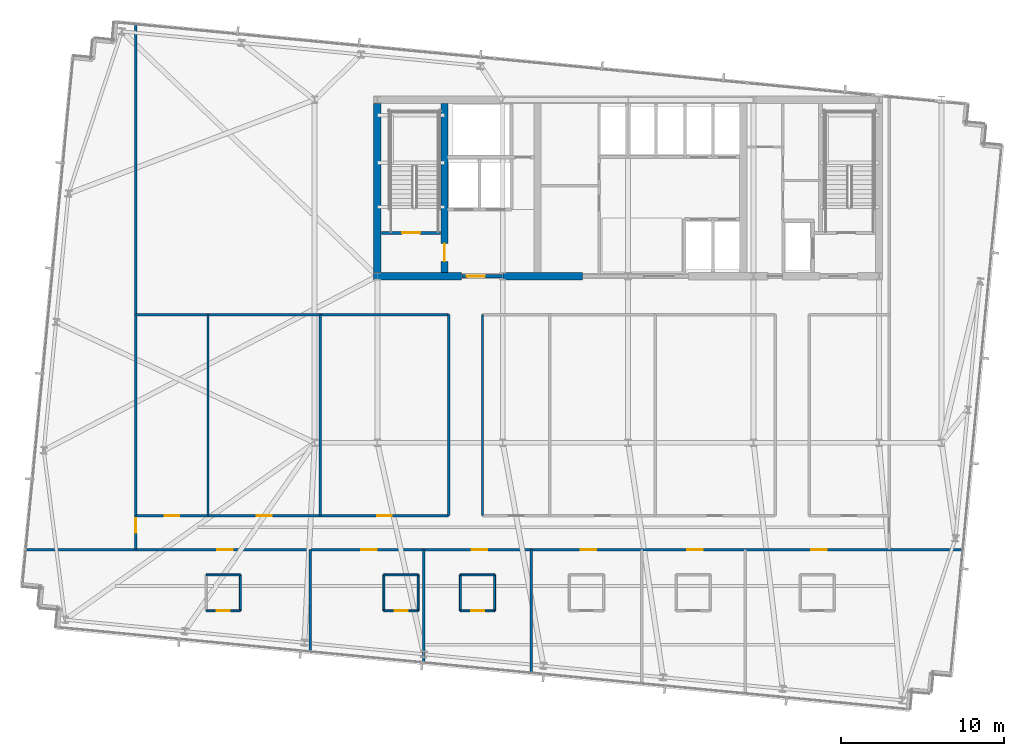
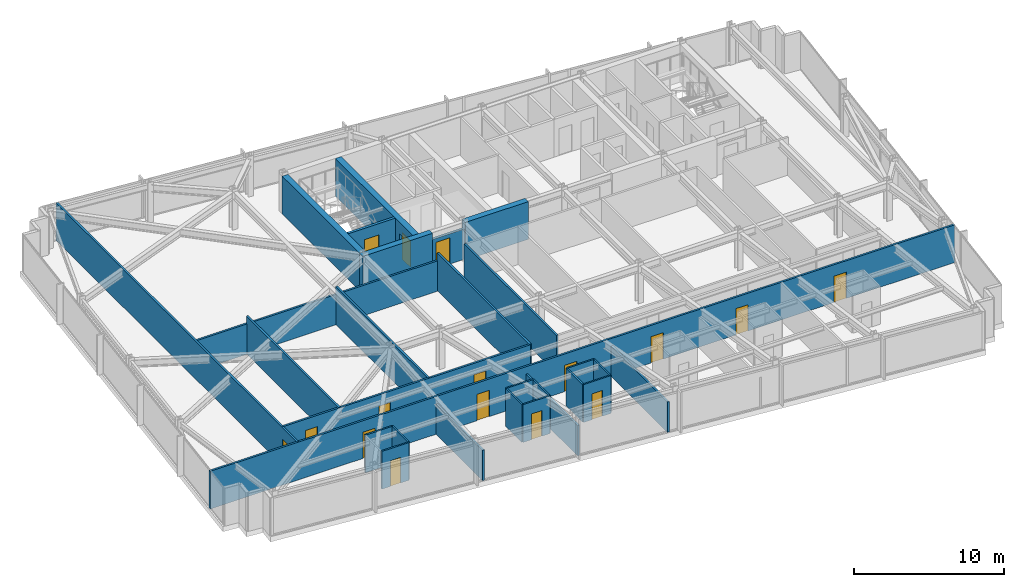
# One storey, part 29 of 37: 28 walls, 16 doors, 16 openings.
"""IFC4 building model written with IfcOpenShell, lengths in metres."""

from ifc_helpers import new_model, si_unit, direction, frame, frame_2d, origin, place, context, subcontext, project, spatial, rectangle, extrude, material, layer, layer_set, type_object, element, fill, save


model = new_model("IFC4")

# Units and contexts
model_context = context("Model", 3, precision=1e-05, world=origin(), true_north=direction((0.0, 1.0)))
body_context = subcontext(model_context, "Body", "Model", "MODEL_VIEW")
ifc_project = project(units=[si_unit("LENGTHUNIT", "METRE"), si_unit("AREAUNIT", "SQUARE_METRE"), si_unit("VOLUMEUNIT", "CUBIC_METRE"), si_unit("PLANEANGLEUNIT", "RADIAN"), si_unit("MASSUNIT", "GRAM", prefix="KILO")], contexts=[model_context])

# Site, building, storey
site_placement = place(None, origin())
site = spatial("IfcSite", under=ifc_project, at=site_placement, CompositionType="ELEMENT")
building_placement = place(site_placement, origin())
building = spatial("IfcBuilding", under=site, at=building_placement, Name="Yelkora Congress Tower", CompositionType="ELEMENT")
storey_placement = place(building_placement, frame((0.0, 0.0, 149.0)))
storey = spatial("IfcBuildingStorey", under=building, at=storey_placement, Name="L40", CompositionType="ELEMENT", Elevation=149.0)

# Walls
ifc_material_1 = material(Name="Concrete C60/75", Category="concrete")
ifc_layer_1 = layer(ifc_material_1, 0.449951171875)
ifc_layer_set_1 = layer_set([ifc_layer_1], Name="Concrete C60/75")
wall_type_1 = type_object("IfcWallType", Name="WALL-CORE-INT-450", PredefinedType="SHEAR", material=ifc_layer_set_1)
wall_1_placement = place(storey_placement, frame((22.81494140625, 35.39990234375, 0.0), z_axis=(0.0, 0.0, 1.0), x_axis=(1.0, 0.0, 0.0)))
element("IfcWall", 1, at=wall_1_placement, inside=storey, type_object=wall_type_1, Name="L40 Rear Core South-West Shear Wall", PredefinedType="SHEAR", context=body_context, shape_type="SweptSolid", body=[
    extrude(rectangle(XDim=5.385009765625, YDim=0.449951171875, at=frame_2d((2.6923828125, 0.0))), origin(), (0.0, 0.0, 1.0), 3.080078125),
])
wall_2_placement = place(storey_placement, frame((30.719970703125, 35.39990234375, 0.0), z_axis=(0.0, 0.0, 1.0), x_axis=(1.0, 0.0, 0.0)))
element("IfcWall", 2, at=wall_2_placement, inside=storey, type_object=wall_type_1, Name="L40 Rear Core South-Center Shear Pier", PredefinedType="SHEAR", context=body_context, shape_type="SweptSolid", body=[
    extrude(rectangle(XDim=4.880126953125, YDim=0.449951171875, at=frame_2d((2.43994140625, 0.0))), origin(), (0.0, 0.0, 1.0), 3.080078125),
])
wall_3_placement = place(storey_placement, frame((23.0400390625, 35.625, 0.0), z_axis=(0.0, 0.0, 1.0), x_axis=(0.0, 1.0, 0.0)))
element("IfcWall", 3, at=wall_3_placement, inside=storey, type_object=wall_type_1, Name="L40 Rear Core Cross Shear Wall W", PredefinedType="SHEAR", context=body_context, shape_type="SweptSolid", body=[
    extrude(rectangle(XDim=10.35009765625, YDim=0.449951171875, at=frame_2d((5.175048828125, 0.0))), origin(), (0.0, 0.0, 1.0), 3.080078125),
])

# Wall, opening, door
wall_4_placement = place(storey_placement, frame((27.14990234375, 35.625, 0.0), z_axis=(0.0, 0.0, 1.0), x_axis=(0.0, 1.0, 0.0)))
wall_4 = element("IfcWall", 4, at=wall_4_placement, inside=storey, type_object=wall_type_1, Name="L40 Rear Core Cross Shear Wall C1", PredefinedType="SHEAR", context=body_context, shape_type="SweptSolid", body=[
    extrude(rectangle(XDim=10.35009765625, YDim=0.449951171875, at=frame_2d((5.175048828125, 0.0))), origin(), (0.0, 0.0, 1.0), 3.080078125),
])
opening_1_placement = place(wall_4_placement, frame((0.675048828125, 0.0, 0.0)))
opening_1 = element("IfcOpeningElement", 5, at=opening_1_placement, cuts=wall_4, Name="Opening DR-110F9", PredefinedType="OPENING", context=body_context, shape_type="SweptSolid", body=[
    extrude(rectangle(XDim=1.10009765625, YDim=2.14990234375, at=frame_2d((0.550048828125, 1.074951171875))), frame((0.0, 0.23486328125, 0.0), z_axis=(0.0, -1.0, 0.0), x_axis=(1.0, 0.0, 0.0)), (0.0, 0.0, 1.0), 0.469970703125),
])
ifc_material_2 = material(Name="Galvanised steel fire door leaf", Category="steel")
door_type_1 = type_object("IfcDoorType", Name="DOOR-FD90-1100", OperationType="NOTDEFINED", PredefinedType="DOOR", material=ifc_material_2)
door_1_placement = place(opening_1_placement, origin())
door_1 = element("IfcDoor", 6, at=door_1_placement, inside=storey, type_object=door_type_1, Name="L40 Firefighting Stair Transfer Door", OperationType="SINGLE_SWING_LEFT", OverallHeight=2.14990234375, OverallWidth=1.10009765625, PredefinedType="DOOR", context=body_context, shape_type="SweptSolid", body=[
    extrude(rectangle(XDim=1.10009765625, YDim=2.14990234375, at=frame_2d((0.550048828125, 1.074951171875))), frame((0.0, 0.02490234375, 0.0), z_axis=(0.0, -1.0, 0.0), x_axis=(1.0, 0.0, 0.0)), (0.0, 0.0, 1.0), 0.050048828125),
])
fill(opening_1, door_1)

# Walls
ifc_material_3 = material(Name="Moisture-resistant gypsum partition", Category="gypsum")
ifc_layer_2 = layer(ifc_material_3, 0.1201171875)
ifc_layer_set_2 = layer_set([ifc_layer_2], Name="Moisture-resistant gypsum partition")
wall_type_2 = type_object("IfcWallType", Name="WALL-INT-120-NR", PredefinedType="PARTITIONING", material=ifc_layer_set_2)
wall_5_placement = place(storey_placement, frame((12.5458984375, 17.10009765625, 0.0), z_axis=(0.0, 0.0, 1.0), x_axis=(1.0, 0.0, 0.0)))
element("IfcWall", 7, at=wall_5_placement, inside=storey, type_object=wall_type_2, Name="L40 Partition Wall 27", PredefinedType="PARTITIONING", context=body_context, shape_type="SweptSolid", body=[
    extrude(rectangle(XDim=2.10009765625, YDim=0.1201171875, at=frame_2d((1.050048828125, 0.0))), origin(), (0.0, 0.0, 1.0), 3.080078125),
])
wall_6_placement = place(storey_placement, frame((14.64599609375, 14.89990234375, 0.0), z_axis=(0.0, 0.0, 1.0), x_axis=(0.0, 1.0, 0.0)))
element("IfcWall", 8, at=wall_6_placement, inside=storey, type_object=wall_type_2, Name="L40 Partition Wall 29", PredefinedType="PARTITIONING", context=body_context, shape_type="SweptSolid", body=[
    extrude(rectangle(XDim=2.2001953125, YDim=0.1201171875, at=frame_2d((1.10009765625, 0.0))), origin(), (0.0, 0.0, 1.0), 3.080078125),
])

# Wall, opening, door
wall_7_placement = place(storey_placement, frame((12.5458984375, 14.89990234375, 0.0), z_axis=(0.0, 0.0, 1.0), x_axis=(1.0, 0.0, 0.0)))
wall_7 = element("IfcWall", 9, at=wall_7_placement, inside=storey, type_object=wall_type_2, Name="L40 Partition Wall 30", PredefinedType="PARTITIONING", context=body_context, shape_type="SweptSolid", body=[
    extrude(rectangle(XDim=2.10009765625, YDim=0.1201171875, at=frame_2d((1.050048828125, 0.0))), origin(), (0.0, 0.0, 1.0), 3.080078125),
])
opening_2_placement = place(wall_7_placement, frame((0.64990234375, 0.0, 0.0)))
opening_2 = element("IfcOpeningElement", 10, at=opening_2_placement, cuts=wall_7, Name="Opening DR-080B", PredefinedType="OPENING", context=body_context, shape_type="SweptSolid", body=[
    extrude(rectangle(XDim=0.800048828125, YDim=2.10009765625, at=frame_2d((0.39990234375, 1.050048828125))), frame((0.0, 0.070068359375, 0.0), z_axis=(0.0, -1.0, 0.0), x_axis=(1.0, 0.0, 0.0)), (0.0, 0.0, 1.0), 0.14013671875),
])
ifc_material_4 = material(Name="Moisture-sealed en-suite timber door", Category="wood")
door_type_2 = type_object("IfcDoorType", Name="DOOR-BATH-800", OperationType="NOTDEFINED", PredefinedType="DOOR", material=ifc_material_4)
door_2_placement = place(opening_2_placement, origin())
door_2 = element("IfcDoor", 11, at=door_2_placement, inside=storey, type_object=door_type_2, Name="L40 En-suite Door 1", OperationType="SINGLE_SWING_LEFT", OverallHeight=2.10009765625, OverallWidth=0.800048828125, PredefinedType="DOOR", context=body_context, shape_type="SweptSolid", body=[
    extrude(rectangle(XDim=0.800048828125, YDim=2.10009765625, at=frame_2d((0.39990234375, 1.050048828125))), frame((0.0, 0.02490234375, 0.0), z_axis=(0.0, -1.0, 0.0), x_axis=(1.0, 0.0, 0.0)), (0.0, 0.0, 1.0), 0.050048828125),
])
fill(opening_2, door_2)

# Walls
wall_8_placement = place(storey_placement, frame((23.43896484375, 17.10009765625, 0.0), z_axis=(0.0, 0.0, 1.0), x_axis=(1.0, 0.0, 0.0)))
element("IfcWall", 12, at=wall_8_placement, inside=storey, type_object=wall_type_2, Name="L40 Partition Wall 31", PredefinedType="PARTITIONING", context=body_context, shape_type="SweptSolid", body=[
    extrude(rectangle(XDim=2.10009765625, YDim=0.1201171875, at=frame_2d((1.050048828125, 0.0))), origin(), (0.0, 0.0, 1.0), 3.080078125),
])
for number, where, z_axis, x_axis, name in (
    (13, (23.43896484375, 14.89990234375, 0.0), (0.0, 0.0, 1.0), (0.0, 1.0, 0.0), "L40 Partition Wall 32"),
    (14, (25.5390625, 14.89990234375, 0.0), (0.0, 0.0, 1.0), (0.0, 1.0, 0.0), "L40 Partition Wall 33"),
):
    element("IfcWall", number, at=place(storey_placement, frame(where, z_axis=z_axis, x_axis=x_axis)), inside=storey, type_object=wall_type_2, Name=name, PredefinedType="PARTITIONING", context=body_context, shape_type="SweptSolid", body=[
        extrude(rectangle(XDim=2.2001953125, YDim=0.1201171875, at=frame_2d((1.10009765625, 0.0))), origin(), (0.0, 0.0, 1.0), 3.080078125),
    ])

# Wall, opening, door
wall_9_placement = place(storey_placement, frame((23.43896484375, 14.89990234375, 0.0), z_axis=(0.0, 0.0, 1.0), x_axis=(1.0, 0.0, 0.0)))
wall_9 = element("IfcWall", 15, at=wall_9_placement, inside=storey, type_object=wall_type_2, Name="L40 Partition Wall 34", PredefinedType="PARTITIONING", context=body_context, shape_type="SweptSolid", body=[
    extrude(rectangle(XDim=2.10009765625, YDim=0.1201171875, at=frame_2d((1.050048828125, 0.0))), origin(), (0.0, 0.0, 1.0), 3.080078125),
])
opening_3_placement = place(wall_9_placement, frame((0.64990234375, 0.0, 0.0)))
opening_3 = element("IfcOpeningElement", 16, at=opening_3_placement, cuts=wall_9, Name="Opening DR-080B", PredefinedType="OPENING", context=body_context, shape_type="SweptSolid", body=[
    extrude(rectangle(XDim=0.800048828125, YDim=2.10009765625, at=frame_2d((0.39990234375, 1.050048828125))), frame((0.0, 0.070068359375, 0.0), z_axis=(0.0, -1.0, 0.0), x_axis=(1.0, 0.0, 0.0)), (0.0, 0.0, 1.0), 0.14013671875),
])
door_3_placement = place(opening_3_placement, origin())
door_3 = element("IfcDoor", 17, at=door_3_placement, inside=storey, type_object=door_type_2, Name="L40 En-suite Door 2", OperationType="SINGLE_SWING_RIGHT", OverallHeight=2.10009765625, OverallWidth=0.800048828125, PredefinedType="DOOR", context=body_context, shape_type="SweptSolid", body=[
    extrude(rectangle(XDim=0.800048828125, YDim=2.10009765625, at=frame_2d((0.39990234375, 1.050048828125))), frame((0.0, 0.02490234375, 0.0), z_axis=(0.0, -1.0, 0.0), x_axis=(1.0, 0.0, 0.0)), (0.0, 0.0, 1.0), 0.050048828125),
])
fill(opening_3, door_3)

# Walls
wall_10_placement = place(storey_placement, frame((28.125, 17.10009765625, 0.0), z_axis=(0.0, 0.0, 1.0), x_axis=(1.0, 0.0, 0.0)))
element("IfcWall", 18, at=wall_10_placement, inside=storey, type_object=wall_type_2, Name="L40 Partition Wall 36", PredefinedType="PARTITIONING", context=body_context, shape_type="SweptSolid", body=[
    extrude(rectangle(XDim=2.10009765625, YDim=0.1201171875, at=frame_2d((1.050048828125, 0.0))), origin(), (0.0, 0.0, 1.0), 3.080078125),
])
for number, where, z_axis, x_axis, name in (
    (19, (28.125, 14.89990234375, 0.0), (0.0, 0.0, 1.0), (0.0, 1.0, 0.0), "L40 Partition Wall 37"),
    (20, (30.22509765625, 14.89990234375, 0.0), (0.0, 0.0, 1.0), (0.0, 1.0, 0.0), "L40 Partition Wall 38"),
):
    element("IfcWall", number, at=place(storey_placement, frame(where, z_axis=z_axis, x_axis=x_axis)), inside=storey, type_object=wall_type_2, Name=name, PredefinedType="PARTITIONING", context=body_context, shape_type="SweptSolid", body=[
        extrude(rectangle(XDim=2.2001953125, YDim=0.1201171875, at=frame_2d((1.10009765625, 0.0))), origin(), (0.0, 0.0, 1.0), 3.080078125),
    ])

# Wall, opening, door
wall_11_placement = place(storey_placement, frame((28.125, 14.89990234375, 0.0), z_axis=(0.0, 0.0, 1.0), x_axis=(1.0, 0.0, 0.0)))
wall_11 = element("IfcWall", 21, at=wall_11_placement, inside=storey, type_object=wall_type_2, Name="L40 Partition Wall 39", PredefinedType="PARTITIONING", context=body_context, shape_type="SweptSolid", body=[
    extrude(rectangle(XDim=2.10009765625, YDim=0.1201171875, at=frame_2d((1.050048828125, 0.0))), origin(), (0.0, 0.0, 1.0), 3.080078125),
])
opening_4_placement = place(wall_11_placement, frame((0.64990234375, 0.0, 0.0)))
opening_4 = element("IfcOpeningElement", 22, at=opening_4_placement, cuts=wall_11, Name="Opening DR-080B", PredefinedType="OPENING", context=body_context, shape_type="SweptSolid", body=[
    extrude(rectangle(XDim=0.800048828125, YDim=2.10009765625, at=frame_2d((0.39990234375, 1.050048828125))), frame((0.0, 0.070068359375, 0.0), z_axis=(0.0, -1.0, 0.0), x_axis=(1.0, 0.0, 0.0)), (0.0, 0.0, 1.0), 0.14013671875),
])
door_4_placement = place(opening_4_placement, origin())
door_4 = element("IfcDoor", 23, at=door_4_placement, inside=storey, type_object=door_type_2, Name="L40 En-suite Door 3", OperationType="SINGLE_SWING_LEFT", OverallHeight=2.10009765625, OverallWidth=0.800048828125, PredefinedType="DOOR", context=body_context, shape_type="SweptSolid", body=[
    extrude(rectangle(XDim=0.800048828125, YDim=2.10009765625, at=frame_2d((0.39990234375, 1.050048828125))), frame((0.0, 0.02490234375, 0.0), z_axis=(0.0, -1.0, 0.0), x_axis=(1.0, 0.0, 0.0)), (0.0, 0.0, 1.0), 0.050048828125),
])
fill(opening_4, door_4)

ifc_material_5 = material(Name="Acoustic metal-stud gypsum partition", Category="gypsum")
ifc_layer_3 = layer(ifc_material_5, 0.14990234375)
ifc_layer_set_3 = layer_set([ifc_layer_3], Name="Acoustic metal-stud gypsum partition")
wall_type_3 = type_object("IfcWallType", Name="WALL-INT-150-NR", PredefinedType="PARTITIONING", material=ifc_layer_set_3)
wall_12_placement = place(storey_placement, frame((8.2490234375, 18.64990234375, 0.0), z_axis=(0.0, 0.0, 1.0), x_axis=(0.0, 1.0, 0.0)))
wall_12 = element("IfcWall", 24, at=wall_12_placement, inside=storey, type_object=wall_type_3, Name="L40 Partition Wall 57", PredefinedType="PARTITIONING", context=body_context, shape_type="SweptSolid", body=[
    extrude(rectangle(XDim=32.230712890625, YDim=0.14990234375, at=frame_2d((16.115234375, 0.0))), origin(), (0.0, 0.0, 1.0), 3.080078125),
])
opening_5_placement = place(wall_12_placement, frame((1.030029296875, 0.0, 0.0)))
opening_5 = element("IfcOpeningElement", 25, at=opening_5_placement, cuts=wall_12, Name="Opening DR-090N", PredefinedType="OPENING", context=body_context, shape_type="SweptSolid", body=[
    extrude(rectangle(XDim=0.89990234375, YDim=2.14990234375, at=frame_2d((0.449951171875, 1.074951171875))), frame((0.0, 0.0849609375, 0.0), z_axis=(0.0, -1.0, 0.0), x_axis=(1.0, 0.0, 0.0)), (0.0, 0.0, 1.0), 0.169921875),
])
ifc_material_6 = material(Name="Moisture-resistant laminate door leaf", Category="wood")
door_type_3 = type_object("IfcDoorType", Name="DOOR-INT-900", OperationType="NOTDEFINED", PredefinedType="DOOR", material=ifc_material_6)
door_5_placement = place(opening_5_placement, origin())
door_5 = element("IfcDoor", 26, at=door_5_placement, inside=storey, type_object=door_type_3, Name="L40 W Wing Door", OperationType="SINGLE_SWING_LEFT", OverallHeight=2.14990234375, OverallWidth=0.89990234375, PredefinedType="DOOR", context=body_context, shape_type="SweptSolid", body=[
    extrude(rectangle(XDim=0.89990234375, YDim=2.14990234375, at=frame_2d((0.449951171875, 1.074951171875))), frame((0.0, 0.02490234375, 0.0), z_axis=(0.0, -1.0, 0.0), x_axis=(1.0, 0.0, 0.0)), (0.0, 0.0, 1.0), 0.050048828125),
])
fill(opening_5, door_5)

# Walls
for number, where, z_axis, x_axis, name in (
    (27, (27.39990234375, 20.72998046875, 0.0), (0.0, 0.0, 1.0), (0.0, 1.0, 0.0), "L40 Partition Wall 59"),
    (28, (29.47998046875, 20.72998046875, 0.0), (0.0, 0.0, 1.0), (0.0, 1.0, 0.0), "L40 Partition Wall 60"),
):
    element("IfcWall", number, at=place(storey_placement, frame(where, z_axis=z_axis, x_axis=x_axis)), inside=storey, type_object=wall_type_3, Name=name, PredefinedType="PARTITIONING", context=body_context, shape_type="SweptSolid", body=[
        extrude(rectangle(XDim=12.320068359375, YDim=0.14990234375, at=frame_2d((6.16015625, 0.0))), origin(), (0.0, 0.0, 1.0), 3.080078125),
    ])
wall_13_placement = place(storey_placement, frame((8.2490234375, 33.050048828125, 0.0), z_axis=(0.0, 0.0, 1.0), x_axis=(1.0, 0.0, 0.0)))
element("IfcWall", 29, at=wall_13_placement, inside=storey, type_object=wall_type_3, Name="L40 Partition Wall 63", PredefinedType="PARTITIONING", context=body_context, shape_type="SweptSolid", body=[
    extrude(rectangle(XDim=19.15087890625, YDim=0.14990234375, at=frame_2d((9.575439453125, 0.0))), origin(), (0.0, 0.0, 1.0), 2.47509765625),
])
for number, where, z_axis, x_axis, name in (
    (30, (12.6669921875, 20.72998046875, 0.0), (0.0, 0.0, 1.0), (0.0, 1.0, 0.0), "L40 Partition Wall 66"),
    (31, (19.550048828125, 20.72998046875, 0.0), (0.0, 0.0, 1.0), (0.0, 1.0, 0.0), "L40 Partition Wall 67"),
):
    element("IfcWall", number, at=place(storey_placement, frame(where, z_axis=z_axis, x_axis=x_axis)), inside=storey, type_object=wall_type_3, Name=name, PredefinedType="PARTITIONING", context=body_context, shape_type="SweptSolid", body=[
        extrude(rectangle(XDim=12.320068359375, YDim=0.14990234375, at=frame_2d((6.16015625, 0.0))), origin(), (0.0, 0.0, 1.0), 3.080078125),
    ])

# Wall, openings, doors
wall_14_placement = place(storey_placement, frame((8.26904296875, 20.72998046875, 0.0), z_axis=(0.0, 0.0, 1.0), x_axis=(1.0, 0.0, 0.0)))
wall_14 = element("IfcWall", 32, at=wall_14_placement, inside=storey, type_object=wall_type_3, Name="L40 Partition Wall 68", PredefinedType="PARTITIONING", context=body_context, shape_type="SweptSolid", body=[
    extrude(rectangle(XDim=19.120849609375, YDim=0.14990234375, at=frame_2d((9.560546875, 0.0))), origin(), (0.0, 0.0, 1.0), 3.080078125),
])
opening_6_placement = place(wall_14_placement, frame((1.7490234375, 0.0, 0.0)))
opening_6 = element("IfcOpeningElement", 33, at=opening_6_placement, cuts=wall_14, Name="Opening DR-090N", PredefinedType="OPENING", context=body_context, shape_type="SweptSolid", body=[
    extrude(rectangle(XDim=0.89990234375, YDim=2.14990234375, at=frame_2d((0.449951171875, 1.074951171875))), frame((0.0, 0.0849609375, 0.0), z_axis=(0.0, -1.0, 0.0), x_axis=(1.0, 0.0, 0.0)), (0.0, 0.0, 1.0), 0.169921875),
])
opening_7_placement = place(wall_14_placement, frame((7.389404296875, 0.0, 0.0)))
opening_7 = element("IfcOpeningElement", 34, at=opening_7_placement, cuts=wall_14, Name="Opening DR-090N", PredefinedType="OPENING", context=body_context, shape_type="SweptSolid", body=[
    extrude(rectangle(XDim=0.89990234375, YDim=2.14990234375, at=frame_2d((0.449951171875, 1.074951171875))), frame((0.0, 0.0849609375, 0.0), z_axis=(0.0, -1.0, 0.0), x_axis=(1.0, 0.0, 0.0)), (0.0, 0.0, 1.0), 0.169921875),
])
opening_8_placement = place(wall_14_placement, frame((14.7509765625, 0.0, 0.0)))
opening_8 = element("IfcOpeningElement", 35, at=opening_8_placement, cuts=wall_14, Name="Opening DR-090N", PredefinedType="OPENING", context=body_context, shape_type="SweptSolid", body=[
    extrude(rectangle(XDim=0.89990234375, YDim=2.14990234375, at=frame_2d((0.449951171875, 1.074951171875))), frame((0.0, 0.0849609375, 0.0), z_axis=(0.0, -1.0, 0.0), x_axis=(1.0, 0.0, 0.0)), (0.0, 0.0, 1.0), 0.169921875),
])
door_6_placement = place(opening_6_placement, origin())
door_6 = element("IfcDoor", 36, at=door_6_placement, inside=storey, type_object=door_type_3, Name="L40 Housekeeping & Linen Room Door", OperationType="SINGLE_SWING_LEFT", OverallHeight=2.14990234375, OverallWidth=0.89990234375, PredefinedType="DOOR", context=body_context, shape_type="SweptSolid", body=[
    extrude(rectangle(XDim=0.89990234375, YDim=2.14990234375, at=frame_2d((0.449951171875, 1.074951171875))), frame((0.0, 0.02490234375, 0.0), z_axis=(0.0, -1.0, 0.0), x_axis=(1.0, 0.0, 0.0)), (0.0, 0.0, 1.0), 0.050048828125),
])
fill(opening_6, door_6)
door_7_placement = place(opening_7_placement, origin())
door_7 = element("IfcDoor", 37, at=door_7_placement, inside=storey, type_object=door_type_3, Name="L40 Business Concierge Office Door", OperationType="SINGLE_SWING_RIGHT", OverallHeight=2.14990234375, OverallWidth=0.89990234375, PredefinedType="DOOR", context=body_context, shape_type="SweptSolid", body=[
    extrude(rectangle(XDim=0.89990234375, YDim=2.14990234375, at=frame_2d((0.449951171875, 1.074951171875))), frame((0.0, 0.02490234375, 0.0), z_axis=(0.0, -1.0, 0.0), x_axis=(1.0, 0.0, 0.0)), (0.0, 0.0, 1.0), 0.050048828125),
])
fill(opening_7, door_7)
door_8_placement = place(opening_8_placement, origin())
door_8 = element("IfcDoor", 38, at=door_8_placement, inside=storey, type_object=door_type_3, Name="L40 Refreshment Galley Door", OperationType="SINGLE_SWING_LEFT", OverallHeight=2.14990234375, OverallWidth=0.89990234375, PredefinedType="DOOR", context=body_context, shape_type="SweptSolid", body=[
    extrude(rectangle(XDim=0.89990234375, YDim=2.14990234375, at=frame_2d((0.449951171875, 1.074951171875))), frame((0.0, 0.02490234375, 0.0), z_axis=(0.0, -1.0, 0.0), x_axis=(1.0, 0.0, 0.0)), (0.0, 0.0, 1.0), 0.050048828125),
])
fill(opening_8, door_8)

# Walls
ifc_material_7 = material(Name="Twin-stud fire-rated gypsum partition", Category="gypsum")
ifc_layer_4 = layer(ifc_material_7, 0.14990234375)
ifc_layer_set_4 = layer_set([ifc_layer_4], Name="Twin-stud fire-rated gypsum partition")
wall_type_4 = type_object("IfcWallType", Name="WALL-INT-150-R60", PredefinedType="PARTITIONING", material=ifc_layer_set_4)
wall_15_placement = place(storey_placement, frame((18.94189453125, 12.338134765625, 0.0), z_axis=(0.0, 0.0, 1.0), x_axis=(0.0, 1.0, 0.0)))
element("IfcWall", 39, at=wall_15_placement, inside=storey, type_object=wall_type_4, Name="L40 Partition Wall 35", PredefinedType="PARTITIONING", context=body_context, shape_type="SweptSolid", body=[
    extrude(rectangle(XDim=6.331787109375, YDim=0.14990234375, at=frame_2d((3.166015625, 0.0))), origin(), (0.0, 0.0, 1.0), 2.47509765625),
])
wall_16_placement = place(storey_placement, frame((25.888916015625, 11.669189453125, 0.0), z_axis=(0.0, 0.0, 1.0), x_axis=(0.0, 1.0, 0.0)))
element("IfcWall", 40, at=wall_16_placement, inside=storey, type_object=wall_type_4, Name="L40 Partition Wall 40", PredefinedType="PARTITIONING", context=body_context, shape_type="SweptSolid", body=[
    extrude(rectangle(XDim=7.000732421875, YDim=0.14990234375, at=frame_2d((3.50048828125, 0.0))), origin(), (0.0, 0.0, 1.0), 2.47509765625),
])
wall_17_placement = place(storey_placement, frame((32.4619140625, 11.036376953125, 0.0), z_axis=(0.0, 0.0, 1.0), x_axis=(0.0, 1.0, 0.0)))
element("IfcWall", 41, at=wall_17_placement, inside=storey, type_object=wall_type_4, Name="L40 Partition Wall 45", PredefinedType="PARTITIONING", context=body_context, shape_type="SweptSolid", body=[
    extrude(rectangle(XDim=7.633544921875, YDim=0.14990234375, at=frame_2d((3.81689453125, 0.0))), origin(), (0.0, 0.0, 1.0), 2.47509765625),
])

# Wall, openings, doors
wall_18_placement = place(storey_placement, frame((1.44921875, 18.64990234375, 0.0), z_axis=(0.0, 0.0, 1.0), x_axis=(1.0, 0.0, 0.0)))
wall_18 = element("IfcWall", 42, at=wall_18_placement, inside=storey, type_object=wall_type_4, Name="L40 South Spine Wall", PredefinedType="PARTITIONING", context=body_context, shape_type="SweptSolid", body=[
    extrude(rectangle(XDim=57.5048828125, YDim=0.14990234375, at=frame_2d((28.75244140625, 0.0))), origin(), (0.0, 0.0, 1.0), 3.080078125),
])
opening_9_placement = place(wall_18_placement, frame((11.7861328125, 0.0, 0.0)))
opening_9 = element("IfcOpeningElement", 43, at=opening_9_placement, cuts=wall_18, Name="Opening DR-095F6", PredefinedType="OPENING", context=body_context, shape_type="SweptSolid", body=[
    extrude(rectangle(XDim=0.949951171875, YDim=2.14990234375, at=frame_2d((0.47509765625, 1.074951171875))), frame((0.0, 0.0849609375, 0.0), z_axis=(0.0, -1.0, 0.0), x_axis=(1.0, 0.0, 0.0)), (0.0, 0.0, 1.0), 0.169921875),
])
opening_10_placement = place(wall_18_placement, frame((20.606201171875, 0.0, 0.0)))
opening_10 = element("IfcOpeningElement", 44, at=opening_10_placement, cuts=wall_18, Name="Opening DR-095F6", PredefinedType="OPENING", context=body_context, shape_type="SweptSolid", body=[
    extrude(rectangle(XDim=0.949951171875, YDim=2.14990234375, at=frame_2d((0.47509765625, 1.074951171875))), frame((0.0, 0.0849609375, 0.0), z_axis=(0.0, -1.0, 0.0), x_axis=(1.0, 0.0, 0.0)), (0.0, 0.0, 1.0), 0.169921875),
])
opening_11_placement = place(wall_18_placement, frame((27.3662109375, 0.0, 0.0)))
opening_11 = element("IfcOpeningElement", 45, at=opening_11_placement, cuts=wall_18, Name="Opening DR-095F6", PredefinedType="OPENING", context=body_context, shape_type="SweptSolid", body=[
    extrude(rectangle(XDim=0.949951171875, YDim=2.14990234375, at=frame_2d((0.47509765625, 1.074951171875))), frame((0.0, 0.0849609375, 0.0), z_axis=(0.0, -1.0, 0.0), x_axis=(1.0, 0.0, 0.0)), (0.0, 0.0, 1.0), 0.169921875),
])
opening_12_placement = place(wall_18_placement, frame((34.03271484375, 0.0, 0.0)))
opening_12 = element("IfcOpeningElement", 46, at=opening_12_placement, cuts=wall_18, Name="Opening DR-095F6", PredefinedType="OPENING", context=body_context, shape_type="SweptSolid", body=[
    extrude(rectangle(XDim=0.949951171875, YDim=2.14990234375, at=frame_2d((0.47509765625, 1.074951171875))), frame((0.0, 0.0849609375, 0.0), z_axis=(0.0, -1.0, 0.0), x_axis=(1.0, 0.0, 0.0)), (0.0, 0.0, 1.0), 0.169921875),
])
opening_13_placement = place(wall_18_placement, frame((40.581787109375, 0.0, 0.0)))
opening_13 = element("IfcOpeningElement", 47, at=opening_13_placement, cuts=wall_18, Name="Opening DR-095F6", PredefinedType="OPENING", context=body_context, shape_type="SweptSolid", body=[
    extrude(rectangle(XDim=0.949951171875, YDim=2.14990234375, at=frame_2d((0.47509765625, 1.074951171875))), frame((0.0, 0.0849609375, 0.0), z_axis=(0.0, -1.0, 0.0), x_axis=(1.0, 0.0, 0.0)), (0.0, 0.0, 1.0), 0.169921875),
])
opening_14_placement = place(wall_18_placement, frame((48.170654296875, 0.0, 0.0)))
opening_14 = element("IfcOpeningElement", 48, at=opening_14_placement, cuts=wall_18, Name="Opening DR-095F6", PredefinedType="OPENING", context=body_context, shape_type="SweptSolid", body=[
    extrude(rectangle(XDim=0.949951171875, YDim=2.14990234375, at=frame_2d((0.47509765625, 1.074951171875))), frame((0.0, 0.0849609375, 0.0), z_axis=(0.0, -1.0, 0.0), x_axis=(1.0, 0.0, 0.0)), (0.0, 0.0, 1.0), 0.169921875),
])
ifc_material_8 = material(Name="Acoustic oak-veneer fire door leaf", Category="wood")
door_type_4 = type_object("IfcDoorType", Name="DOOR-FD60-950", OperationType="NOTDEFINED", PredefinedType="DOOR", material=ifc_material_8)
door_9_placement = place(opening_9_placement, origin())
door_9 = element("IfcDoor", 49, at=door_9_placement, inside=storey, type_object=door_type_4, Name="L40 Diplomatic Suite 01 Entry Door", OperationType="SINGLE_SWING_LEFT", OverallHeight=2.14990234375, OverallWidth=0.949951171875, PredefinedType="DOOR", context=body_context, shape_type="SweptSolid", body=[
    extrude(rectangle(XDim=0.949951171875, YDim=2.14990234375, at=frame_2d((0.47509765625, 1.074951171875))), frame((0.0, 0.02490234375, 0.0), z_axis=(0.0, -1.0, 0.0), x_axis=(1.0, 0.0, 0.0)), (0.0, 0.0, 1.0), 0.050048828125),
])
fill(opening_9, door_9)
door_10_placement = place(opening_10_placement, origin())
door_10 = element("IfcDoor", 50, at=door_10_placement, inside=storey, type_object=door_type_4, Name="L40 Hotel Guest Room 02 Entry Door", OperationType="SINGLE_SWING_RIGHT", OverallHeight=2.14990234375, OverallWidth=0.949951171875, PredefinedType="DOOR", context=body_context, shape_type="SweptSolid", body=[
    extrude(rectangle(XDim=0.949951171875, YDim=2.14990234375, at=frame_2d((0.47509765625, 1.074951171875))), frame((0.0, 0.02490234375, 0.0), z_axis=(0.0, -1.0, 0.0), x_axis=(1.0, 0.0, 0.0)), (0.0, 0.0, 1.0), 0.050048828125),
])
fill(opening_10, door_10)
door_11_placement = place(opening_11_placement, origin())
door_11 = element("IfcDoor", 51, at=door_11_placement, inside=storey, type_object=door_type_4, Name="L40 Hotel Guest Room 03 Entry Door", OperationType="SINGLE_SWING_LEFT", OverallHeight=2.14990234375, OverallWidth=0.949951171875, PredefinedType="DOOR", context=body_context, shape_type="SweptSolid", body=[
    extrude(rectangle(XDim=0.949951171875, YDim=2.14990234375, at=frame_2d((0.47509765625, 1.074951171875))), frame((0.0, 0.02490234375, 0.0), z_axis=(0.0, -1.0, 0.0), x_axis=(1.0, 0.0, 0.0)), (0.0, 0.0, 1.0), 0.050048828125),
])
fill(opening_11, door_11)
door_12_placement = place(opening_12_placement, origin())
door_12 = element("IfcDoor", 52, at=door_12_placement, inside=storey, type_object=door_type_4, Name="L40 Hotel Guest Room 04 Entry Door", OperationType="SINGLE_SWING_RIGHT", OverallHeight=2.14990234375, OverallWidth=0.949951171875, PredefinedType="DOOR", context=body_context, shape_type="SweptSolid", body=[
    extrude(rectangle(XDim=0.949951171875, YDim=2.14990234375, at=frame_2d((0.47509765625, 1.074951171875))), frame((0.0, 0.02490234375, 0.0), z_axis=(0.0, -1.0, 0.0), x_axis=(1.0, 0.0, 0.0)), (0.0, 0.0, 1.0), 0.050048828125),
])
fill(opening_12, door_12)
door_13_placement = place(opening_13_placement, origin())
door_13 = element("IfcDoor", 53, at=door_13_placement, inside=storey, type_object=door_type_4, Name="L40 Hotel Guest Room 05 Entry Door", OperationType="SINGLE_SWING_LEFT", OverallHeight=2.14990234375, OverallWidth=0.949951171875, PredefinedType="DOOR", context=body_context, shape_type="SweptSolid", body=[
    extrude(rectangle(XDim=0.949951171875, YDim=2.14990234375, at=frame_2d((0.47509765625, 1.074951171875))), frame((0.0, 0.02490234375, 0.0), z_axis=(0.0, -1.0, 0.0), x_axis=(1.0, 0.0, 0.0)), (0.0, 0.0, 1.0), 0.050048828125),
])
fill(opening_13, door_13)
door_14_placement = place(opening_14_placement, origin())
door_14 = element("IfcDoor", 54, at=door_14_placement, inside=storey, type_object=door_type_4, Name="L40 Diplomatic Suite 06 Entry Door", OperationType="SINGLE_SWING_RIGHT", OverallHeight=2.14990234375, OverallWidth=0.949951171875, PredefinedType="DOOR", context=body_context, shape_type="SweptSolid", body=[
    extrude(rectangle(XDim=0.949951171875, YDim=2.14990234375, at=frame_2d((0.47509765625, 1.074951171875))), frame((0.0, 0.02490234375, 0.0), z_axis=(0.0, -1.0, 0.0), x_axis=(1.0, 0.0, 0.0)), (0.0, 0.0, 1.0), 0.050048828125),
])
fill(opening_14, door_14)

# Wall, opening, door
ifc_material_9 = material(Name="Autoclaved aerated concrete blockwork", Category="masonry")
ifc_layer_5 = layer(ifc_material_9, 0.199951171875)
ifc_layer_set_5 = layer_set([ifc_layer_5], Name="Autoclaved aerated concrete blockwork")
wall_type_5 = type_object("IfcWallType", Name="WALL-INT-200-R120", PredefinedType="PARTITIONING", material=ifc_layer_set_5)
wall_19_placement = place(storey_placement, frame((23.300048828125, 38.050048828125, 0.0), z_axis=(0.0, 0.0, 1.0), x_axis=(1.0, 0.0, 0.0)))
wall_19 = element("IfcWall", 55, at=wall_19_placement, inside=storey, type_object=wall_type_5, Name="L40 Stair ST-01 Enclosure Wall", PredefinedType="PARTITIONING", context=body_context, shape_type="SweptSolid", body=[
    extrude(rectangle(XDim=3.619873046875, YDim=0.199951171875, at=frame_2d((1.81005859375, 0.0))), origin(), (0.0, 0.0, 1.0), 3.080078125),
])
opening_15_placement = place(wall_19_placement, frame((1.260009765625, 0.0, 0.0)))
opening_15 = element("IfcOpeningElement", 56, at=opening_15_placement, cuts=wall_19, Name="Opening DR-110F9", PredefinedType="OPENING", context=body_context, shape_type="SweptSolid", body=[
    extrude(rectangle(XDim=1.10009765625, YDim=2.14990234375, at=frame_2d((0.550048828125, 1.074951171875))), frame((0.0, 0.10986328125, 0.0), z_axis=(0.0, -1.0, 0.0), x_axis=(1.0, 0.0, 0.0)), (0.0, 0.0, 1.0), 0.219970703125),
])
door_15_placement = place(opening_15_placement, origin())
door_15 = element("IfcDoor", 57, at=door_15_placement, inside=storey, type_object=door_type_1, Name="L40 Stair ST-01 Entry Door", OperationType="SINGLE_SWING_LEFT", OverallHeight=2.14990234375, OverallWidth=1.10009765625, PredefinedType="DOOR", context=body_context, shape_type="SweptSolid", body=[
    extrude(rectangle(XDim=1.10009765625, YDim=2.14990234375, at=frame_2d((0.550048828125, 1.074951171875))), frame((0.0, 0.02490234375, 0.0), z_axis=(0.0, -1.0, 0.0), x_axis=(1.0, 0.0, 0.0)), (0.0, 0.0, 1.0), 0.050048828125),
])
fill(opening_15, door_15)

wall_20_placement = place(storey_placement, frame((28.219970703125, 35.39990234375, 0.0), z_axis=(0.0, 0.0, 1.0), x_axis=(1.0, 0.0, 0.0)))
wall_20 = element("IfcWall", 58, at=wall_20_placement, inside=storey, type_object=wall_type_5, Name="L40 Firefighting Lobby South Wall", PredefinedType="PARTITIONING", context=body_context, shape_type="SweptSolid", body=[
    extrude(rectangle(XDim=2.5, YDim=0.199951171875, at=frame_2d((1.25, 0.0))), origin(), (0.0, 0.0, 1.0), 2.47509765625),
])
opening_16_placement = place(wall_20_placement, frame((0.300048828125, 0.0, 0.0)))
opening_16 = element("IfcOpeningElement", 59, at=opening_16_placement, cuts=wall_20, Name="Opening DR-110F9", PredefinedType="OPENING", context=body_context, shape_type="SweptSolid", body=[
    extrude(rectangle(XDim=1.10009765625, YDim=2.14990234375, at=frame_2d((0.550048828125, 1.074951171875))), frame((0.0, 0.10986328125, 0.0), z_axis=(0.0, -1.0, 0.0), x_axis=(1.0, 0.0, 0.0)), (0.0, 0.0, 1.0), 0.219970703125),
])
door_16_placement = place(opening_16_placement, origin())
door_16 = element("IfcDoor", 60, at=door_16_placement, inside=storey, type_object=door_type_1, Name="L40 Firefighting Lobby Corridor Door", OperationType="SINGLE_SWING_RIGHT", OverallHeight=2.14990234375, OverallWidth=1.10009765625, PredefinedType="DOOR", context=body_context, shape_type="SweptSolid", body=[
    extrude(rectangle(XDim=1.10009765625, YDim=2.14990234375, at=frame_2d((0.550048828125, 1.074951171875))), frame((0.0, 0.02490234375, 0.0), z_axis=(0.0, -1.0, 0.0), x_axis=(1.0, 0.0, 0.0)), (0.0, 0.0, 1.0), 0.050048828125),
])
fill(opening_16, door_16)

save(model, "model.ifc")
